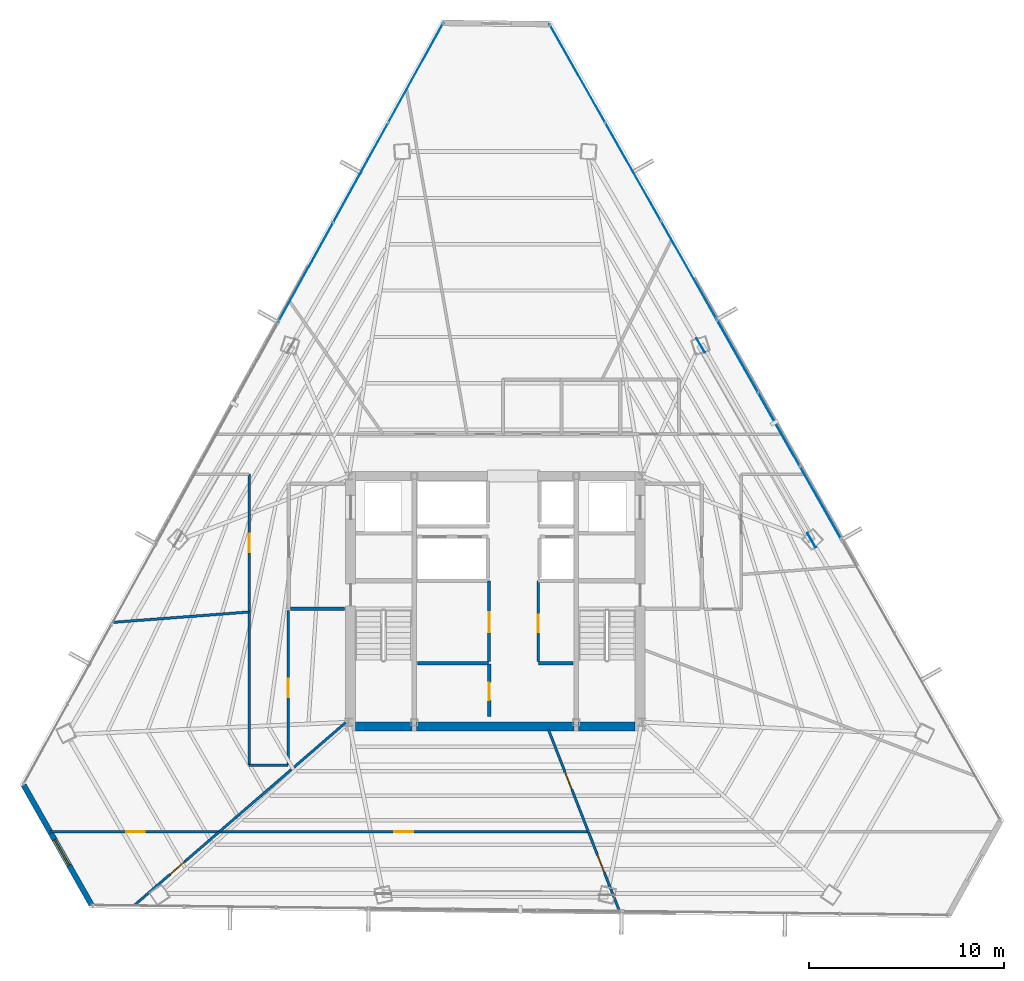
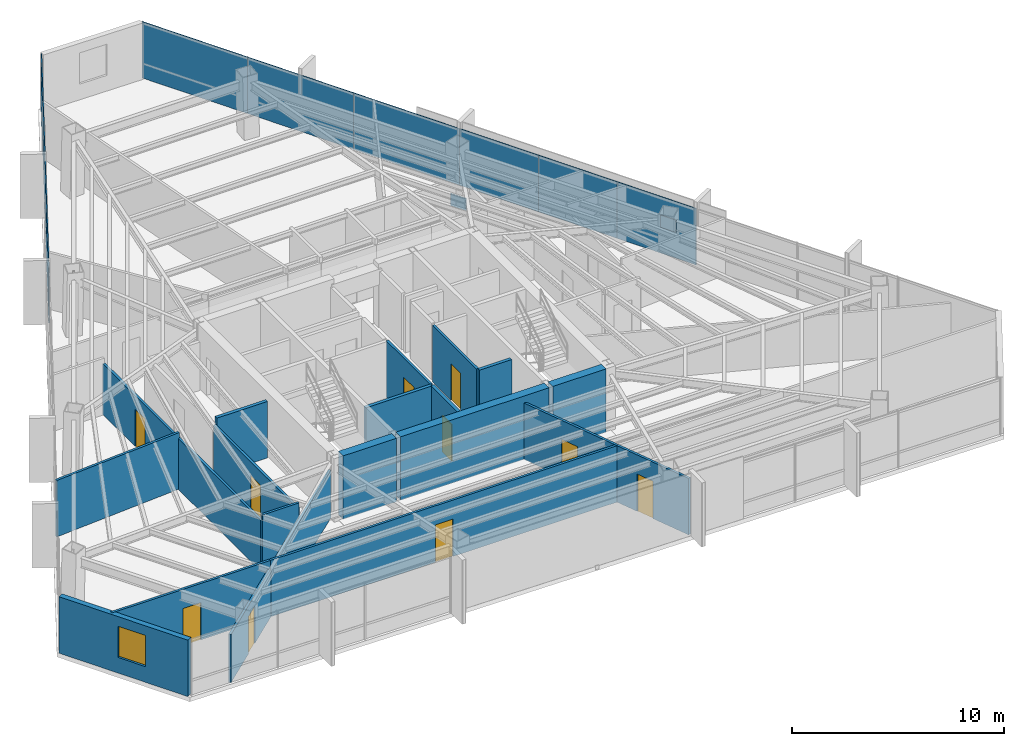
# One storey, part 35 of 40: 21 walls, 11 plates, 10 doors, 1 window, 11 openings, 3 elements without a shape of their own.
"""IFC4 building model written with IfcOpenShell, lengths in metres."""

from ifc_helpers import new_model, si_unit, direction, frame, frame_2d, origin, origin_2d, place, context, subcontext, project, spatial, rectangle, extrude, source, transform, mapped, material, layer, layer_set, type_object, type_shapes, element, fill, aggregate, save


model = new_model("IFC4")

# Units and contexts
model_context = context("Model", 3, precision=1e-05, world=origin(), true_north=direction((0.0, 1.0)))
body_context = subcontext(model_context, "Body", "Model", "MODEL_VIEW")
ifc_project = project(units=[si_unit("LENGTHUNIT", "METRE"), si_unit("AREAUNIT", "SQUARE_METRE"), si_unit("VOLUMEUNIT", "CUBIC_METRE"), si_unit("PLANEANGLEUNIT", "RADIAN"), si_unit("MASSUNIT", "GRAM", prefix="KILO")], contexts=[model_context])

# Site, building, storey
site_placement = place(None, origin())
site = spatial("IfcSite", under=ifc_project, at=site_placement, CompositionType="ELEMENT")
building_placement = place(site_placement, origin())
building = spatial("IfcBuilding", under=site, at=building_placement, Name="Caelisora Broadcast Tower", CompositionType="ELEMENT")
storey_placement = place(building_placement, frame((0.0, 0.0, 216.89990234375)))
storey = spatial("IfcBuildingStorey", under=building, at=storey_placement, Name="L57", CompositionType="ELEMENT", Elevation=216.89990234375)

# Plates
ifc_material_1 = material(Name="Steel Grade 350 L15 (AS/NZS 3678)", Category="steel")
ifc_layer_1 = layer(ifc_material_1, 0.0400390625, Name="Steel Grade 350 L15 (AS/NZS 3678)")
ifc_layer_set_1 = layer_set([ifc_layer_1], Name="Steel Grade 350 L15 (AS/NZS 3678)")
plate_type_1 = type_object("IfcPlateType", Name="GP04", PredefinedType="USERDEFINED", material=ifc_layer_set_1)
shared_shape_1 = source(origin(), body_context, "Body", "SweptSolid", [
    extrude(rectangle(XDim=0.85009765625, YDim=0.0400390625, at=origin_2d()), origin(), (0.0, 0.0, 1.0), 0.699951171875),
])
type_shapes(plate_type_1, [shared_shape_1])
for number, where, z_axis, x_axis, name in (
    (1, (54.189697265625, 26.71484375, 2.580078125), (0.0, 0.0, 1.0), (-0.5, 0.866025403784, 0.0), "L57 gusset plate GP04 (ND-L57-C10T)"),
    (2, (48.516845703125, 36.685302734375, -0.22998046875), (0.0, 0.0, 1.0), (-0.5, 0.866025403784, 0.0), "L57 gusset plate GP04 (ND-L57-C11B)"),
):
    element("IfcPlate", number, at=place(storey_placement, frame(where, z_axis=z_axis, x_axis=x_axis)), inside=storey, type_object=plate_type_1, Name=name, ObjectType="GUSSET PLATE", PredefinedType="USERDEFINED", context=body_context, shape_type="MappedRepresentation", body=[
        mapped(shared_shape_1, transform((0.0, 0.0, 0.0), scale=1.0)),
    ])

# Curtain wall, plates
ifc_material_2 = material(Name="Unitised Aluminium and Low-E Glass Curtain Wall", Category="glass")
curtain_wall_type_1 = type_object("IfcCurtainWallType", Name="CW-Z4", PredefinedType="NOTDEFINED", material=ifc_material_2)
curtain_wall_1_placement = place(storey_placement, origin())
curtain_wall_1 = element("IfcCurtainWall", 3, at=curtain_wall_1_placement, inside=storey, type_object=curtain_wall_type_1, Name="L57 curtain wall CW-Z4", PredefinedType="NOTDEFINED")
ifc_material_3 = material(Name="Double Glazed Low-E Argon IGU", Category="glass")
ifc_layer_2 = layer(ifc_material_3, 0.030029296875, Name="Double Glazed Low-E Argon IGU")
ifc_layer_set_2 = layer_set([ifc_layer_2], Name="Double Glazed Low-E Argon IGU")
plate_type_2 = type_object("IfcPlateType", Name="CWP-05", PredefinedType="CURTAIN_PANEL", material=ifc_layer_set_2)
shared_shape_2 = source(origin(), body_context, "Body", "SweptSolid", [
    extrude(rectangle(XDim=5.790771484375, YDim=0.030029296875, at=origin_2d()), origin(), (0.0, 0.0, 1.0), 3.25),
])
plate_1_placement = place(storey_placement, frame((42.201171875, 50.61376953125, 0.0), z_axis=(0.0, 0.0, 1.0), x_axis=(0.492879209759, -0.870097744272, 0.0)))
plate_1 = element("IfcPlate", 4, at=plate_1_placement, type_object=plate_type_2, Name="L57-CW-B01 glazed panel #1", PredefinedType="CURTAIN_PANEL", context=body_context, shape_type="MappedRepresentation", body=[
    mapped(shared_shape_2, transform((0.0, 0.0, 0.0), scale=1.0)),
])
plate_2_placement = place(storey_placement, frame((45.055419921875, 45.5751953125, 0.0), z_axis=(0.0, 0.0, 1.0), x_axis=(0.492879209759, -0.870097744272, 0.0)))
plate_2 = element("IfcPlate", 5, at=plate_2_placement, type_object=plate_type_2, Name="L57-CW-B01 glazed panel #2", PredefinedType="CURTAIN_PANEL", context=body_context, shape_type="MappedRepresentation", body=[
    mapped(shared_shape_2, transform((0.0, 0.0, 0.0), scale=1.0)),
])
plate_3_placement = place(storey_placement, frame((47.909912109375, 40.536865234375, 0.0), z_axis=(0.0, 0.0, 1.0), x_axis=(0.492879209759, -0.870097744272, 0.0)))
plate_3 = element("IfcPlate", 6, at=plate_3_placement, type_object=plate_type_2, Name="L57-CW-B01 glazed panel #3", PredefinedType="CURTAIN_PANEL", context=body_context, shape_type="MappedRepresentation", body=[
    mapped(shared_shape_2, transform((0.0, 0.0, 0.0), scale=1.0)),
])
aggregate(curtain_wall_1, [plate_1, plate_2, plate_3])

ifc_material_4 = material(Name="Unitised Aluminium Insulated Shadow-Box Spandrel Curtain Wall", Category="aluminium")
curtain_wall_type_2 = type_object("IfcCurtainWallType", Name="CW-SP2", PredefinedType="NOTDEFINED", material=ifc_material_4)
curtain_wall_2_placement = place(storey_placement, origin())
curtain_wall_2 = element("IfcCurtainWall", 7, at=curtain_wall_2_placement, inside=storey, type_object=curtain_wall_type_2, Name="L57 curtain wall CW-SP2", PredefinedType="NOTDEFINED")
ifc_material_5 = material(Name="Insulated Terracotta Shadow-Box Spandrel Panel", Category="aluminium")
ifc_layer_3 = layer(ifc_material_5, 0.0439453125, Name="Insulated Terracotta Shadow-Box Spandrel Panel")
ifc_layer_set_3 = layer_set([ifc_layer_3], Name="Insulated Terracotta Shadow-Box Spandrel Panel")
plate_type_3 = type_object("IfcPlateType", Name="CWP-10", PredefinedType="CURTAIN_PANEL", material=ifc_layer_set_3)
shared_shape_3 = source(origin(), body_context, "Body", "SweptSolid", [
    extrude(rectangle(XDim=4.314697265625, YDim=0.0439453125, at=origin_2d()), origin(), (0.0, 0.0, 1.0), 3.25),
])
type_shapes(plate_type_3, [shared_shape_3])
plate_4_placement = place(storey_placement, frame((50.4052734375, 36.1318359375, 0.0), z_axis=(0.0, 0.0, 1.0), x_axis=(0.492879209759, -0.870097744272, 0.0)))
plate_4 = element("IfcPlate", 8, at=plate_4_placement, type_object=plate_type_3, Name="L57-CW-B02 spandrel panel #1", PredefinedType="CURTAIN_PANEL", context=body_context, shape_type="MappedRepresentation", body=[
    mapped(shared_shape_3, transform((0.0, 0.0, 0.0), scale=1.0)),
])
plate_5_placement = place(storey_placement, frame((52.531982421875, 32.377685546875, 0.0), z_axis=(0.0, 0.0, 1.0), x_axis=(0.492879209759, -0.870097744272, 0.0)))
plate_5 = element("IfcPlate", 9, at=plate_5_placement, type_object=plate_type_3, Name="L57-CW-B02 spandrel panel #2", PredefinedType="CURTAIN_PANEL", context=body_context, shape_type="MappedRepresentation", body=[
    mapped(shared_shape_3, transform((0.0, 0.0, 0.0), scale=1.0)),
])
plate_6_placement = place(storey_placement, frame((54.65869140625, 28.62353515625, 0.0), z_axis=(0.0, 0.0, 1.0), x_axis=(0.492879209759, -0.870097744272, 0.0)))
plate_6 = element("IfcPlate", 10, at=plate_6_placement, type_object=plate_type_3, Name="L57-CW-B02 spandrel panel #3", PredefinedType="CURTAIN_PANEL", context=body_context, shape_type="MappedRepresentation", body=[
    mapped(shared_shape_3, transform((0.0, 0.0, 0.0), scale=1.0)),
])
aggregate(curtain_wall_2, [plate_4, plate_5, plate_6])

curtain_wall_3_placement = place(storey_placement, origin())
curtain_wall_3 = element("IfcCurtainWall", 11, at=curtain_wall_3_placement, inside=storey, type_object=curtain_wall_type_1, Name="L57 curtain wall CW-Z4", PredefinedType="NOTDEFINED")
shared_shape_4 = source(origin(), body_context, "Body", "SweptSolid", [
    extrude(rectangle(XDim=5.831787109375, YDim=0.030029296875, at=origin_2d()), origin(), (0.0, 0.0, 1.0), 3.25),
])
type_shapes(plate_type_2, [shared_shape_2, shared_shape_4])
plate_7_placement = place(storey_placement, frame((28.298095703125, 40.427734375, 0.0), z_axis=(0.0, 0.0, 1.0), x_axis=(0.482823924874, 0.875717453046, 0.0)))
plate_7 = element("IfcPlate", 12, at=plate_7_placement, type_object=plate_type_2, Name="L57-CW-B11 glazed panel #1", PredefinedType="CURTAIN_PANEL", context=body_context, shape_type="MappedRepresentation", body=[
    mapped(shared_shape_4, transform((0.0, 0.0, 0.0), scale=1.0)),
])
plate_8_placement = place(storey_placement, frame((31.114013671875, 45.53466796875, 0.0), z_axis=(0.0, 0.0, 1.0), x_axis=(0.482823924874, 0.875717453046, 0.0)))
plate_8 = element("IfcPlate", 13, at=plate_8_placement, type_object=plate_type_2, Name="L57-CW-B11 glazed panel #2", PredefinedType="CURTAIN_PANEL", context=body_context, shape_type="MappedRepresentation", body=[
    mapped(shared_shape_4, transform((0.0, 0.0, 0.0), scale=1.0)),
])
plate_9_placement = place(storey_placement, frame((33.929931640625, 50.6416015625, 0.0), z_axis=(0.0, 0.0, 1.0), x_axis=(0.482823924874, 0.875717453046, 0.0)))
plate_9 = element("IfcPlate", 14, at=plate_9_placement, type_object=plate_type_2, Name="L57-CW-B11 glazed panel #3", PredefinedType="CURTAIN_PANEL", context=body_context, shape_type="MappedRepresentation", body=[
    mapped(shared_shape_4, transform((0.0, 0.0, 0.0), scale=1.0)),
])
aggregate(curtain_wall_3, [plate_7, plate_8, plate_9])

# Walls
ifc_material_6 = material(Name="Concrete 50 MPa (AS 3600 S50)", Category="concrete")
ifc_layer_4 = layer(ifc_material_6, 0.449951171875, Name="Concrete 50 MPa (AS 3600 S50)")
ifc_layer_set_4 = layer_set([ifc_layer_4], Name="Concrete 50 MPa (AS 3600 S50)")
wall_type_1 = type_object("IfcWallType", Name="CW5", PredefinedType="SHEAR", material=ifc_layer_set_4)
wall_1_placement = place(storey_placement, frame((30.840087890625, 17.175048828125, 0.0), z_axis=(0.0, 0.0, 1.0), x_axis=(1.0, 0.0, 0.0)))
element("IfcWall", 15, at=wall_1_placement, inside=storey, type_object=wall_type_1, Name="L57 core shear wall CW5", PredefinedType="SHEAR", context=body_context, shape_type="SweptSolid", body=[
    extrude(rectangle(XDim=2.89990234375, YDim=0.449951171875, at=frame_2d((1.449951171875, 0.0))), origin(), (0.0, 0.0, 1.0), 3.650146484375),
])
wall_2_placement = place(storey_placement, frame((33.9599609375, 17.175048828125, 0.0), z_axis=(0.0, 0.0, 1.0), x_axis=(1.0, 0.0, 0.0)))
element("IfcWall", 16, at=wall_2_placement, inside=storey, type_object=wall_type_1, Name="L57 core shear wall CW5", PredefinedType="SHEAR", context=body_context, shape_type="SweptSolid", body=[
    extrude(rectangle(XDim=8.080078125, YDim=0.449951171875, at=frame_2d((4.0400390625, 0.0))), origin(), (0.0, 0.0, 1.0), 3.650146484375),
])
wall_3_placement = place(storey_placement, frame((42.260009765625, 17.175048828125, 0.0), z_axis=(0.0, 0.0, 1.0), x_axis=(1.0, 0.0, 0.0)))
element("IfcWall", 17, at=wall_3_placement, inside=storey, type_object=wall_type_1, Name="L57 core shear wall CW5", PredefinedType="SHEAR", context=body_context, shape_type="SweptSolid", body=[
    extrude(rectangle(XDim=2.89990234375, YDim=0.449951171875, at=frame_2d((1.449951171875, 0.0))), origin(), (0.0, 0.0, 1.0), 3.650146484375),
])

# Wall, opening, window
ifc_material_7 = material(Name="Insulated Terracotta Spandrel Wall System", Category="masonry")
ifc_layer_5 = layer(ifc_material_7, 0.280029296875, Name="Insulated Terracotta Spandrel Wall System")
ifc_layer_set_5 = layer_set([ifc_layer_5], Name="Insulated Terracotta Spandrel Wall System")
wall_type_2 = type_object("IfcWallType", Name="EW1", PredefinedType="STANDARD", material=ifc_layer_set_5)
wall_4_placement = place(storey_placement, frame((17.3271484375, 8.05908203125, 0.0), z_axis=(0.0, 0.0, 1.0), x_axis=(-0.492927700946, 0.870070273967, 0.0)))
wall_4 = element("IfcWall", 18, at=wall_4_placement, inside=storey, type_object=wall_type_2, Name="L57 exterior envelope wall EW1", PredefinedType="STANDARD", context=body_context, shape_type="SweptSolid", body=[
    extrude(rectangle(XDim=7.04052734375, YDim=0.280029296875, at=frame_2d((3.520263671875, 0.0))), origin(), (0.0, 0.0, 1.0), 3.25),
])
opening_1_placement = place(wall_4_placement, frame((2.320068359375, 0.0, 0.89990234375)))
opening_1 = element("IfcOpeningElement", 19, at=opening_1_placement, cuts=wall_4, Name="Opening W02", PredefinedType="OPENING", context=body_context, shape_type="SweptSolid", body=[
    extrude(rectangle(XDim=1.5, YDim=1.800048828125, at=frame_2d((0.75, 0.89990234375))), frame((0.0, 0.152099609375, 0.0), z_axis=(0.0, -1.0, 0.0), x_axis=(1.0, 0.0, 0.0)), (0.0, 0.0, 1.0), 0.303955078125),
])
ifc_material_8 = material(Name="Double Glazed Terracotta-Framed Vision Window", Category="glass")
window_type = type_object("IfcWindowType", Name="W02", PartitioningType="SINGLE_PANEL", PredefinedType="WINDOW", material=ifc_material_8)
window_placement = place(opening_1_placement, origin())
window = element("IfcWindow", 20, at=window_placement, inside=storey, type_object=window_type, Name="L57 window W02 (L57-WN-CH4)", OverallHeight=1.800048828125, OverallWidth=1.5, PartitioningType="SINGLE_PANEL", PredefinedType="WINDOW", context=body_context, shape_type="SweptSolid", body=[
    extrude(rectangle(XDim=1.5, YDim=1.800048828125, at=frame_2d((0.75, 0.89990234375))), frame((0.0, 0.030029296875, 0.0), z_axis=(0.0, -1.0, 0.0), x_axis=(1.0, 0.0, 0.0)), (0.0, 0.0, 1.0), 0.06005859375),
])
fill(opening_1, window)

# Walls
ifc_material_9 = material(Name="Fire-Rated Gypsum Shaft and Compartment Wall", Category="gypsum")
ifc_layer_6 = layer(ifc_material_9, 0.179931640625, Name="Fire-Rated Gypsum Shaft and Compartment Wall")
ifc_layer_set_6 = layer_set([ifc_layer_6], Name="Fire-Rated Gypsum Shaft and Compartment Wall")
wall_type_3 = type_object("IfcWallType", Name="PW2", PredefinedType="PARTITIONING", material=ifc_layer_set_6)
wall_5_placement = place(storey_placement, frame((27.52001953125, 23.199951171875, 0.0), z_axis=(0.0, 0.0, 1.0), x_axis=(1.0, 0.0, 0.0)))
element("IfcWall", 21, at=wall_5_placement, inside=storey, type_object=wall_type_3, Name="L57 fire compartment wall PW2", PredefinedType="PARTITIONING", context=body_context, shape_type="SweptSolid", body=[
    extrude(rectangle(XDim=2.760009765625, YDim=0.179931640625, at=frame_2d((1.3798828125, 0.0))), origin(), (0.0, 0.0, 1.0), 3.25),
])
wall_6_placement = place(storey_placement, frame((34.02001953125, 20.419921875, 0.0), z_axis=(0.0, 0.0, 1.0), x_axis=(1.0, 0.0, 0.0)))
element("IfcWall", 22, at=wall_6_placement, inside=storey, type_object=wall_type_3, Name="L57 fire compartment wall PW2", PredefinedType="PARTITIONING", context=body_context, shape_type="SweptSolid", body=[
    extrude(rectangle(XDim=3.639892578125, YDim=0.179931640625, at=frame_2d((1.81982421875, 0.0))), origin(), (0.0, 0.0, 1.0), 3.25),
])
wall_7_placement = place(storey_placement, frame((40.219970703125, 20.419921875, 0.0), z_axis=(0.0, 0.0, 1.0), x_axis=(1.0, 0.0, 0.0)))
element("IfcWall", 23, at=wall_7_placement, inside=storey, type_object=wall_type_3, Name="L57 fire compartment wall PW2", PredefinedType="PARTITIONING", context=body_context, shape_type="SweptSolid", body=[
    extrude(rectangle(XDim=1.760009765625, YDim=0.179931640625, at=frame_2d((0.8798828125, 0.0))), origin(), (0.0, 0.0, 1.0), 3.25),
])

# Wall, opening, door
wall_8_placement = place(storey_placement, frame((37.679931640625, 17.679931640625, 0.0), z_axis=(0.0, 0.0, 1.0), x_axis=(0.0, 1.0, 0.0)))
wall_8 = element("IfcWall", 24, at=wall_8_placement, inside=storey, type_object=wall_type_3, Name="L57 fire compartment wall PW2", PredefinedType="PARTITIONING", context=body_context, shape_type="SweptSolid", body=[
    extrude(rectangle(XDim=2.699951171875, YDim=0.179931640625, at=frame_2d((1.35009765625, 0.0))), origin(), (0.0, 0.0, 1.0), 3.25),
])
opening_2_placement = place(wall_8_placement, frame((0.85009765625, 0.0, 0.0)))
opening_2 = element("IfcOpeningElement", 25, at=opening_2_placement, cuts=wall_8, Name="Opening FD03", PredefinedType="OPENING", context=body_context, shape_type="SweptSolid", body=[
    extrude(rectangle(XDim=0.89990234375, YDim=2.10009765625, at=frame_2d((0.449951171875, 1.050048828125))), frame((0.0, 0.10205078125, 0.0), z_axis=(0.0, -1.0, 0.0), x_axis=(1.0, 0.0, 0.0)), (0.0, 0.0, 1.0), 0.203857421875),
])
ifc_material_10 = material(Name="Single-Leaf Steel Riser Fire Access Door", Category="steel")
door_type_1 = type_object("IfcDoorType", Name="FD03", OperationType="NOTDEFINED", PredefinedType="DOOR", material=ifc_material_10)
door_1_placement = place(opening_2_placement, origin())
door_1 = element("IfcDoor", 26, at=door_1_placement, inside=storey, type_object=door_type_1, Name="L57 door FD03 (L57-DR-P13D1)", OperationType="SINGLE_SWING_RIGHT", OverallHeight=2.10009765625, OverallWidth=0.89990234375, PredefinedType="DOOR", context=body_context, shape_type="SweptSolid", body=[
    extrude(rectangle(XDim=0.89990234375, YDim=2.10009765625, at=frame_2d((0.449951171875, 1.050048828125))), frame((0.0, 0.02490234375, 0.0), z_axis=(0.0, -1.0, 0.0), x_axis=(1.0, 0.0, 0.0)), (0.0, 0.0, 1.0), 0.050048828125),
])
fill(opening_2, door_1)

ifc_material_11 = material(Name="Acoustic Steel-Stud Plasterboard Partition", Category="gypsum")
ifc_layer_7 = layer(ifc_material_11, 0.1298828125, Name="Acoustic Steel-Stud Plasterboard Partition")
ifc_layer_set_7 = layer_set([ifc_layer_7], Name="Acoustic Steel-Stud Plasterboard Partition")
wall_type_4 = type_object("IfcWallType", Name="PW3", PredefinedType="PARTITIONING", material=ifc_layer_set_7)
wall_9_placement = place(storey_placement, frame((37.679931640625, 20.5, 0.0), z_axis=(0.0, 0.0, 1.0), x_axis=(0.0, 1.0, 0.0)))
wall_9 = element("IfcWall", 27, at=wall_9_placement, inside=storey, type_object=wall_type_4, Name="L57 internal partition PW3", PredefinedType="PARTITIONING", context=body_context, shape_type="SweptSolid", body=[
    extrude(rectangle(XDim=4.139892578125, YDim=0.1298828125, at=frame_2d((2.06982421875, 0.0))), origin(), (0.0, 0.0, 1.0), 3.25),
])
opening_3_placement = place(wall_9_placement, frame((1.5, 0.0, 0.0)))
opening_3 = element("IfcOpeningElement", 28, at=opening_3_placement, cuts=wall_9, Name="Opening D02", PredefinedType="OPENING", context=body_context, shape_type="SweptSolid", body=[
    extrude(rectangle(XDim=1.02001953125, YDim=2.14990234375, at=frame_2d((0.510009765625, 1.074951171875))), frame((0.0, 0.076904296875, 0.0), z_axis=(0.0, -1.0, 0.0), x_axis=(1.0, 0.0, 0.0)), (0.0, 0.0, 1.0), 0.15380859375),
])
ifc_material_12 = material(Name="Solid-Core Timber Archive Suite Door", Category="wood")
door_type_2 = type_object("IfcDoorType", Name="D02", OperationType="NOTDEFINED", PredefinedType="DOOR", material=ifc_material_12)
door_2_placement = place(opening_3_placement, origin())
door_2 = element("IfcDoor", 29, at=door_2_placement, inside=storey, type_object=door_type_2, Name="L57 door D02 (L57-DR-P11D1)", OperationType="SINGLE_SWING_RIGHT", OverallHeight=2.14990234375, OverallWidth=1.02001953125, PredefinedType="DOOR", context=body_context, shape_type="SweptSolid", body=[
    extrude(rectangle(XDim=1.02001953125, YDim=2.14990234375, at=frame_2d((0.510009765625, 1.074951171875))), frame((0.0, 0.02490234375, 0.0), z_axis=(0.0, -1.0, 0.0), x_axis=(1.0, 0.0, 0.0)), (0.0, 0.0, 1.0), 0.050048828125),
])
fill(opening_3, door_2)

wall_10_placement = place(storey_placement, frame((40.199951171875, 20.5, 0.0), z_axis=(0.0, 0.0, 1.0), x_axis=(0.0, 1.0, 0.0)))
wall_10 = element("IfcWall", 30, at=wall_10_placement, inside=storey, type_object=wall_type_4, Name="L57 internal partition PW3", PredefinedType="PARTITIONING", context=body_context, shape_type="SweptSolid", body=[
    extrude(rectangle(XDim=4.139892578125, YDim=0.1298828125, at=frame_2d((2.06982421875, 0.0))), origin(), (0.0, 0.0, 1.0), 3.25),
])
opening_4_placement = place(wall_10_placement, frame((1.5, 0.0, 0.0)))
opening_4 = element("IfcOpeningElement", 31, at=opening_4_placement, cuts=wall_10, Name="Opening FD03", PredefinedType="OPENING", context=body_context, shape_type="SweptSolid", body=[
    extrude(rectangle(XDim=0.89990234375, YDim=2.10009765625, at=frame_2d((0.449951171875, 1.050048828125))), frame((0.0, 0.076904296875, 0.0), z_axis=(0.0, -1.0, 0.0), x_axis=(1.0, 0.0, 0.0)), (0.0, 0.0, 1.0), 0.15380859375),
])
door_3_placement = place(opening_4_placement, origin())
door_3 = element("IfcDoor", 32, at=door_3_placement, inside=storey, type_object=door_type_1, Name="L57 door FD03 (L57-DR-P12D1)", OperationType="SINGLE_SWING_LEFT", OverallHeight=2.10009765625, OverallWidth=0.89990234375, PredefinedType="DOOR", context=body_context, shape_type="SweptSolid", body=[
    extrude(rectangle(XDim=0.89990234375, YDim=2.10009765625, at=frame_2d((0.449951171875, 1.050048828125))), frame((0.0, 0.02490234375, 0.0), z_axis=(0.0, -1.0, 0.0), x_axis=(1.0, 0.0, 0.0)), (0.0, 0.0, 1.0), 0.050048828125),
])
fill(opening_4, door_3)

wall_11_placement = place(storey_placement, frame((23.864990234375, 11.780029296875, 0.0), z_axis=(0.0, 0.0, 1.0), x_axis=(1.0, 0.0, 0.0)))
wall_11 = element("IfcWall", 33, at=wall_11_placement, inside=storey, type_object=wall_type_4, Name="L57 internal partition PW3", PredefinedType="PARTITIONING", context=body_context, shape_type="SweptSolid", body=[
    extrude(rectangle(XDim=18.89990234375, YDim=0.1298828125, at=frame_2d((9.449951171875, 0.0))), origin(), (0.0, 0.0, 1.0), 3.25),
])
opening_5_placement = place(wall_11_placement, frame((8.969970703125, 0.0, 0.0)))
opening_5 = element("IfcOpeningElement", 34, at=opening_5_placement, cuts=wall_11, Name="Opening D01", PredefinedType="OPENING", context=body_context, shape_type="SweptSolid", body=[
    extrude(rectangle(XDim=0.9599609375, YDim=2.14990234375, at=frame_2d((0.47998046875, 1.074951171875))), frame((0.0, 0.076904296875, 0.0), z_axis=(0.0, -1.0, 0.0), x_axis=(1.0, 0.0, 0.0)), (0.0, 0.0, 1.0), 0.15380859375),
])
ifc_material_13 = material(Name="Solid-Core Timber Acoustic Office Door", Category="wood")
door_type_3 = type_object("IfcDoorType", Name="D01", OperationType="NOTDEFINED", PredefinedType="DOOR", material=ifc_material_13)
door_4_placement = place(opening_5_placement, origin())
door_4 = element("IfcDoor", 35, at=door_4_placement, inside=storey, type_object=door_type_3, Name="L57 door D01 (L57-DR-P26D1)", OperationType="SINGLE_SWING_RIGHT", OverallHeight=2.14990234375, OverallWidth=0.9599609375, PredefinedType="DOOR", context=body_context, shape_type="SweptSolid", body=[
    extrude(rectangle(XDim=0.9599609375, YDim=2.14990234375, at=frame_2d((0.47998046875, 1.074951171875))), frame((0.0, 0.02490234375, 0.0), z_axis=(0.0, -1.0, 0.0), x_axis=(1.0, 0.0, 0.0)), (0.0, 0.0, 1.0), 0.050048828125),
])
fill(opening_5, door_4)

wall_12_placement = place(storey_placement, frame((15.21337890625, 11.780029296875, 0.0), z_axis=(0.0, 0.0, 1.0), x_axis=(1.0, 0.0, 0.0)))
wall_12 = element("IfcWall", 36, at=wall_12_placement, inside=storey, type_object=wall_type_4, Name="L57 internal partition PW3", PredefinedType="PARTITIONING", context=body_context, shape_type="SweptSolid", body=[
    extrude(rectangle(XDim=8.6416015625, YDim=0.1298828125, at=frame_2d((4.32080078125, 0.0))), origin(), (0.0, 0.0, 1.0), 3.25),
])
opening_6_placement = place(wall_12_placement, frame((3.89306640625, 0.0, 0.0)))
opening_6 = element("IfcOpeningElement", 37, at=opening_6_placement, cuts=wall_12, Name="Opening D01", PredefinedType="OPENING", context=body_context, shape_type="SweptSolid", body=[
    extrude(rectangle(XDim=0.9599609375, YDim=2.14990234375, at=frame_2d((0.47998046875, 1.074951171875))), frame((0.0, 0.076904296875, 0.0), z_axis=(0.0, -1.0, 0.0), x_axis=(1.0, 0.0, 0.0)), (0.0, 0.0, 1.0), 0.15380859375),
])
door_5_placement = place(opening_6_placement, origin())
door_5 = element("IfcDoor", 38, at=door_5_placement, inside=storey, type_object=door_type_3, Name="L57 door D01 (L57-DR-P30D1)", OperationType="SINGLE_SWING_LEFT", OverallHeight=2.14990234375, OverallWidth=0.9599609375, PredefinedType="DOOR", context=body_context, shape_type="SweptSolid", body=[
    extrude(rectangle(XDim=0.9599609375, YDim=2.14990234375, at=frame_2d((0.47998046875, 1.074951171875))), frame((0.0, 0.02490234375, 0.0), z_axis=(0.0, -1.0, 0.0), x_axis=(1.0, 0.0, 0.0)), (0.0, 0.0, 1.0), 0.050048828125),
])
fill(opening_6, door_5)

# Wall
wall_13_placement = place(storey_placement, frame((23.864013671875, 11.782958984375, 0.0), z_axis=(0.0, 0.0, 1.0), x_axis=(0.756670401949, 0.653796530134, 0.0)))
element("IfcWall", 39, at=wall_13_placement, inside=storey, type_object=wall_type_4, Name="L57 internal partition PW3", PredefinedType="PARTITIONING", context=body_context, shape_type="SweptSolid", body=[
    extrude(rectangle(XDim=8.5625, YDim=0.1298828125, at=frame_2d((4.28125, 0.0))), origin(), (0.0, 0.0, 1.0), 2.774658203125),
])

# Wall, opening, door
wall_14_placement = place(storey_placement, frame((27.39990234375, 15.205078125, 0.0), z_axis=(0.0, 0.0, 1.0), x_axis=(0.0, 1.0, 0.0)))
wall_14 = element("IfcWall", 40, at=wall_14_placement, inside=storey, type_object=wall_type_4, Name="L57 internal partition PW3", PredefinedType="PARTITIONING", context=body_context, shape_type="SweptSolid", body=[
    extrude(rectangle(XDim=7.89990234375, YDim=0.1298828125, at=frame_2d((3.949951171875, 0.0))), origin(), (0.0, 0.0, 1.0), 2.927978515625),
])
opening_7_placement = place(wall_14_placement, frame((3.469970703125, 0.0, 0.0)))
opening_7 = element("IfcOpeningElement", 41, at=opening_7_placement, cuts=wall_14, Name="Opening D01", PredefinedType="OPENING", context=body_context, shape_type="SweptSolid", body=[
    extrude(rectangle(XDim=0.9599609375, YDim=2.14990234375, at=frame_2d((0.47998046875, 1.074951171875))), frame((0.0, 0.076904296875, 0.0), z_axis=(0.0, -1.0, 0.0), x_axis=(1.0, 0.0, 0.0)), (0.0, 0.0, 1.0), 0.15380859375),
])
door_6_placement = place(opening_7_placement, origin())
door_6 = element("IfcDoor", 42, at=door_6_placement, inside=storey, type_object=door_type_3, Name="L57 door D01 (L57-DR-P36D1)", OperationType="SINGLE_SWING_LEFT", OverallHeight=2.14990234375, OverallWidth=0.9599609375, PredefinedType="DOOR", context=body_context, shape_type="SweptSolid", body=[
    extrude(rectangle(XDim=0.9599609375, YDim=2.14990234375, at=frame_2d((0.47998046875, 1.074951171875))), frame((0.0, 0.02490234375, 0.0), z_axis=(0.0, -1.0, 0.0), x_axis=(1.0, 0.0, 0.0)), (0.0, 0.0, 1.0), 0.050048828125),
])
fill(opening_7, door_6)

# Walls
wall_15_placement = place(storey_placement, frame((25.39990234375, 23.034912109375, 0.0), z_axis=(0.0, 0.0, 1.0), x_axis=(0.0, -1.0, 0.0)))
element("IfcWall", 43, at=wall_15_placement, inside=storey, type_object=wall_type_4, Name="L57 internal partition PW3", PredefinedType="PARTITIONING", context=body_context, shape_type="SweptSolid", body=[
    extrude(rectangle(XDim=7.829833984375, YDim=0.1298828125, at=frame_2d((3.9150390625, 0.0))), origin(), (0.0, 0.0, 1.0), 2.927978515625),
])
wall_16_placement = place(storey_placement, frame((18.41162109375, 22.508544921875, 0.0), z_axis=(0.0, 0.0, 1.0), x_axis=(0.997116289969, 0.075888762525, 0.0)))
element("IfcWall", 44, at=wall_16_placement, inside=storey, type_object=wall_type_4, Name="L57 internal partition PW3", PredefinedType="PARTITIONING", context=body_context, shape_type="SweptSolid", body=[
    extrude(rectangle(XDim=7.003662109375, YDim=0.1298828125, at=frame_2d((3.501953125, 0.0))), origin(), (0.0, 0.0, 1.0), 3.25),
])

# Wall, opening, door
wall_17_placement = place(storey_placement, frame((25.39990234375, 30.094970703125, 0.0), z_axis=(0.0, 0.0, 1.0), x_axis=(0.0, -1.0, 0.0)))
wall_17 = element("IfcWall", 45, at=wall_17_placement, inside=storey, type_object=wall_type_4, Name="L57 internal partition PW3", PredefinedType="PARTITIONING", context=body_context, shape_type="SweptSolid", body=[
    extrude(rectangle(XDim=7.050048828125, YDim=0.1298828125, at=frame_2d((3.52490234375, 0.0))), origin(), (0.0, 0.0, 1.0), 2.927978515625),
])
opening_8_placement = place(wall_17_placement, frame((3.044921875, 0.0, 0.0)))
opening_8 = element("IfcOpeningElement", 46, at=opening_8_placement, cuts=wall_17, Name="Opening D01", PredefinedType="OPENING", context=body_context, shape_type="SweptSolid", body=[
    extrude(rectangle(XDim=0.9599609375, YDim=2.14990234375, at=frame_2d((0.47998046875, 1.074951171875))), frame((0.0, 0.076904296875, 0.0), z_axis=(0.0, -1.0, 0.0), x_axis=(1.0, 0.0, 0.0)), (0.0, 0.0, 1.0), 0.15380859375),
])
door_7_placement = place(opening_8_placement, origin())
door_7 = element("IfcDoor", 47, at=door_7_placement, inside=storey, type_object=door_type_3, Name="L57 door D01 (L57-DR-P39D1)", OperationType="SINGLE_SWING_RIGHT", OverallHeight=2.14990234375, OverallWidth=0.9599609375, PredefinedType="DOOR", context=body_context, shape_type="SweptSolid", body=[
    extrude(rectangle(XDim=0.9599609375, YDim=2.14990234375, at=frame_2d((0.47998046875, 1.074951171875))), frame((0.0, 0.02490234375, 0.0), z_axis=(0.0, -1.0, 0.0), x_axis=(1.0, 0.0, 0.0)), (0.0, 0.0, 1.0), 0.050048828125),
])
fill(opening_8, door_7)

wall_18_placement = place(storey_placement, frame((19.49755859375, 8.003173828125, 0.0), z_axis=(0.0, 0.0, 1.0), x_axis=(0.755976839749, 0.654598363704, 0.0)))
wall_18 = element("IfcWall", 48, at=wall_18_placement, inside=storey, type_object=wall_type_4, Name="L57 internal partition PW3", PredefinedType="PARTITIONING", context=body_context, shape_type="SweptSolid", body=[
    extrude(rectangle(XDim=5.76513671875, YDim=0.1298828125, at=frame_2d((2.882568359375, 0.0))), origin(), (0.0, 0.0, 1.0), 2.774658203125),
])
opening_9_placement = place(wall_18_placement, frame((2.47412109375, 0.0, 0.0)))
opening_9 = element("IfcOpeningElement", 49, at=opening_9_placement, cuts=wall_18, Name="Opening D01", PredefinedType="OPENING", context=body_context, shape_type="SweptSolid", body=[
    extrude(rectangle(XDim=0.9599609375, YDim=2.14990234375, at=frame_2d((0.47998046875, 1.074951171875))), frame((0.0, 0.076904296875, 0.0), z_axis=(0.0, -1.0, 0.0), x_axis=(1.0, 0.0, 0.0)), (0.0, 0.0, 1.0), 0.15380859375),
])
door_8_placement = place(opening_9_placement, origin())
door_8 = element("IfcDoor", 50, at=door_8_placement, inside=storey, type_object=door_type_3, Name="L57 door D01 (L57-DR-P41D1)", OperationType="SINGLE_SWING_LEFT", OverallHeight=2.14990234375, OverallWidth=0.9599609375, PredefinedType="DOOR", context=body_context, shape_type="SweptSolid", body=[
    extrude(rectangle(XDim=0.9599609375, YDim=2.14990234375, at=frame_2d((0.47998046875, 1.074951171875))), frame((0.0, 0.02490234375, 0.0), z_axis=(0.0, -1.0, 0.0), x_axis=(1.0, 0.0, 0.0)), (0.0, 0.0, 1.0), 0.050048828125),
])
fill(opening_9, door_8)

wall_19_placement = place(storey_placement, frame((40.717041015625, 17.030029296875, 0.0), z_axis=(0.0, 0.0, 1.0), x_axis=(0.364181949897, -0.931327819497, 0.0)))
wall_19 = element("IfcWall", 51, at=wall_19_placement, inside=storey, type_object=wall_type_4, Name="L57 internal partition PW3", PredefinedType="PARTITIONING", context=body_context, shape_type="SweptSolid", body=[
    extrude(rectangle(XDim=5.6318359375, YDim=0.1298828125, at=frame_2d((2.81591796875, 0.0))), origin(), (0.0, 0.0, 1.0), 3.25),
])
opening_10_placement = place(wall_19_placement, frame((2.3359375, 0.0, 0.0)))
opening_10 = element("IfcOpeningElement", 52, at=opening_10_placement, cuts=wall_19, Name="Opening D01", PredefinedType="OPENING", context=body_context, shape_type="SweptSolid", body=[
    extrude(rectangle(XDim=0.9599609375, YDim=2.14990234375, at=frame_2d((0.47998046875, 1.074951171875))), frame((0.0, 0.076904296875, 0.0), z_axis=(0.0, -1.0, 0.0), x_axis=(1.0, 0.0, 0.0)), (0.0, 0.0, 1.0), 0.15380859375),
])
door_9_placement = place(opening_10_placement, origin())
door_9 = element("IfcDoor", 53, at=door_9_placement, inside=storey, type_object=door_type_3, Name="L57 door D01 (L57-DR-P42D1)", OperationType="SINGLE_SWING_RIGHT", OverallHeight=2.14990234375, OverallWidth=0.9599609375, PredefinedType="DOOR", context=body_context, shape_type="SweptSolid", body=[
    extrude(rectangle(XDim=0.9599609375, YDim=2.14990234375, at=frame_2d((0.47998046875, 1.074951171875))), frame((0.0, 0.02490234375, 0.0), z_axis=(0.0, -1.0, 0.0), x_axis=(1.0, 0.0, 0.0)), (0.0, 0.0, 1.0), 0.050048828125),
])
fill(opening_10, door_9)

wall_20_placement = place(storey_placement, frame((42.77197265625, 11.77490234375, 0.0), z_axis=(0.0, 0.0, 1.0), x_axis=(0.364823828784, -0.93107656718, 0.0)))
wall_20 = element("IfcWall", 54, at=wall_20_placement, inside=storey, type_object=wall_type_4, Name="L57 internal partition PW3", PredefinedType="PARTITIONING", context=body_context, shape_type="SweptSolid", body=[
    extrude(rectangle(XDim=4.3583984375, YDim=0.1298828125, at=frame_2d((2.17919921875, 0.0))), origin(), (0.0, 0.0, 1.0), 3.25),
])
opening_11_placement = place(wall_20_placement, frame((1.260009765625, 0.0, 0.0)))
opening_11 = element("IfcOpeningElement", 55, at=opening_11_placement, cuts=wall_20, Name="Opening D01", PredefinedType="OPENING", context=body_context, shape_type="SweptSolid", body=[
    extrude(rectangle(XDim=0.9599609375, YDim=2.14990234375, at=frame_2d((0.47998046875, 1.074951171875))), frame((0.0, 0.076904296875, 0.0), z_axis=(0.0, -1.0, 0.0), x_axis=(1.0, 0.0, 0.0)), (0.0, 0.0, 1.0), 0.15380859375),
])
door_10_placement = place(opening_11_placement, origin())
door_10 = element("IfcDoor", 56, at=door_10_placement, inside=storey, type_object=door_type_3, Name="L57 door D01 (L57-DR-P45D1)", OperationType="SINGLE_SWING_LEFT", OverallHeight=2.14990234375, OverallWidth=0.9599609375, PredefinedType="DOOR", context=body_context, shape_type="SweptSolid", body=[
    extrude(rectangle(XDim=0.9599609375, YDim=2.14990234375, at=frame_2d((0.47998046875, 1.074951171875))), frame((0.0, 0.02490234375, 0.0), z_axis=(0.0, -1.0, 0.0), x_axis=(1.0, 0.0, 0.0)), (0.0, 0.0, 1.0), 0.050048828125),
])
fill(opening_11, door_10)

# Wall
wall_21_placement = place(storey_placement, frame((25.405029296875, 15.199951171875, 0.0), z_axis=(0.0, 0.0, 1.0), x_axis=(1.0, 0.0, 0.0)))
element("IfcWall", 57, at=wall_21_placement, inside=storey, type_object=wall_type_4, Name="L57 internal partition PW3", PredefinedType="PARTITIONING", context=body_context, shape_type="SweptSolid", body=[
    extrude(rectangle(XDim=1.989990234375, YDim=0.1298828125, at=frame_2d((0.9951171875, 0.0))), origin(), (0.0, 0.0, 1.0), 3.25),
])

save(model, "model.ifc")
